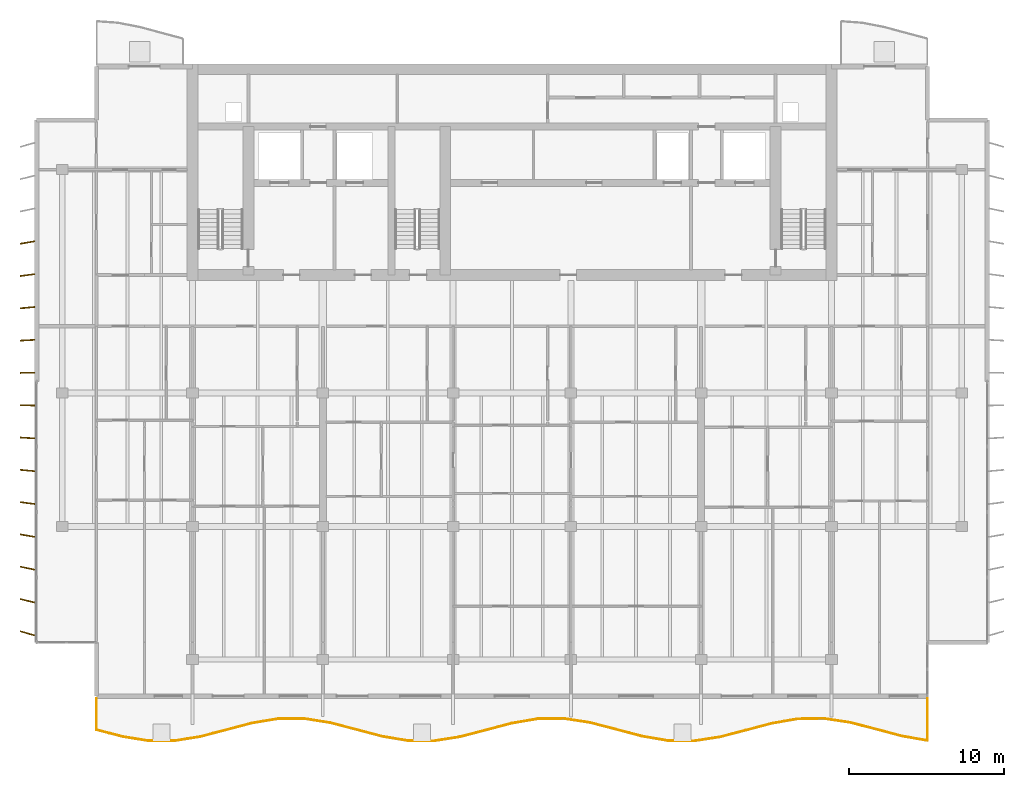
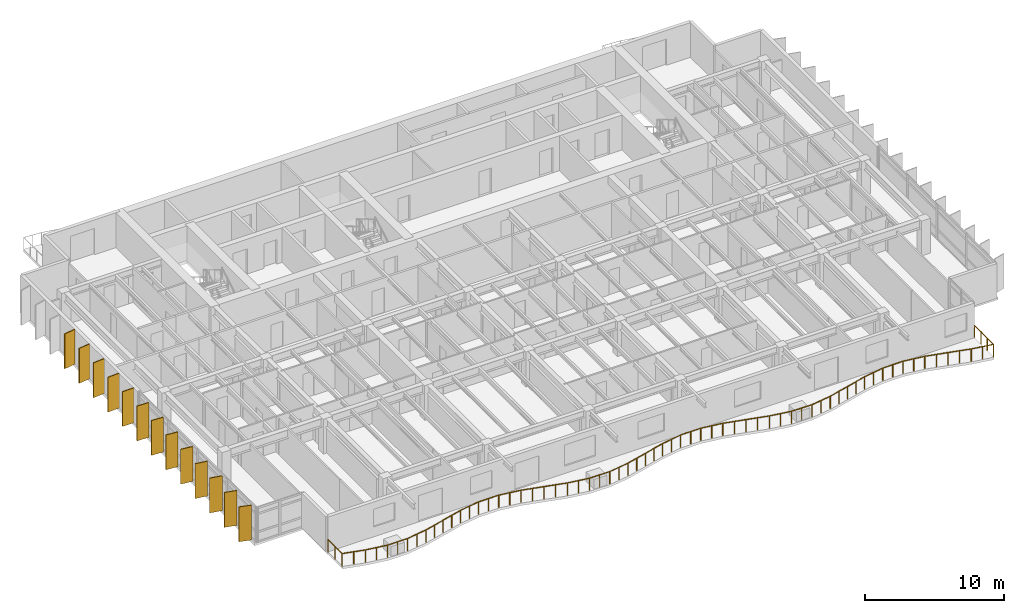
# One storey, part 13 of 17: 13 shading devices, 1 railing.
"""IFC4 building model written with IfcOpenShell, lengths in metres."""

from ifc_helpers import new_model, si_unit, direction, frame, origin, origin_2d, place, context, subcontext, project, spatial, rectangle, circle, extrude, material, material_profile, profile_set, type_object, element, save


model = new_model("IFC4")

# Units and contexts
model_context = context("Model", 3, precision=1e-05, world=origin(), true_north=direction((0.0, 1.0)))
body_context = subcontext(model_context, "Body", "Model", "MODEL_VIEW")
ifc_project = project(units=[si_unit("LENGTHUNIT", "METRE"), si_unit("AREAUNIT", "SQUARE_METRE"), si_unit("VOLUMEUNIT", "CUBIC_METRE"), si_unit("PLANEANGLEUNIT", "RADIAN"), si_unit("MASSUNIT", "GRAM", prefix="KILO")], contexts=[model_context])

# Site, building, storey
site_placement = place(None, origin())
site = spatial("IfcSite", under=ifc_project, at=site_placement, CompositionType="ELEMENT")
building_placement = place(site_placement, origin())
building = spatial("IfcBuilding", under=site, at=building_placement, Name="Caelmar Bay Residences", CompositionType="ELEMENT")
storey_placement = place(building_placement, frame((0.0, 0.0, 246.300048828125)))
storey = spatial("IfcBuildingStorey", under=building, at=storey_placement, Name="L69", CompositionType="ELEMENT", Elevation=246.300048828125)

# Railing
ifc_material_1 = material(Name="Anodised bronze handrail with laminated hurricane glass infill", Category="glass")
railing_type = type_object("IfcRailingType", Name="RL-BAL-1100", PredefinedType="BALUSTRADE", material=ifc_material_1)
railing_placement = place(storey_placement, frame((12.10009765625, 9.699951171875, 0.0)))
element("IfcRailing", 1, at=railing_placement, inside=storey, type_object=railing_type, Name="L69 south Balcony Balustrade", PredefinedType="BALUSTRADE", context=body_context, shape_type="SweptSolid", body=[
    extrude(circle(Radius=0.02392578125, at=origin_2d()), frame((0.0, 0.0, 1.076171875), z_axis=(0.0, -1.0, 0.0), x_axis=(1.0, 0.0, 0.0)), (0.0, 0.0, 1.0), 2.02001953125),
    extrude(circle(Radius=0.02392578125, at=origin_2d()), frame((0.0, -2.02001953125, 1.076171875), z_axis=(0.967222308525, -0.253931104614, 0.0), x_axis=(0.253931104614, 0.967222308525, 0.0)), (0.0, 0.0, 1.0), 1.7314453125),
    extrude(circle(Radius=0.02392578125, at=origin_2d()), frame((1.6748046875, -2.459716796875, 1.076171875), z_axis=(0.987005147608, -0.160688638665, 0.0), x_axis=(0.160688638665, 0.987005147608, 0.0)), (0.0, 0.0, 1.0), 1.697021484375),
    extrude(circle(Radius=0.02392578125, at=origin_2d()), frame((3.349853515625, -2.732421875, 1.076171875), z_axis=(0.999999139641, -0.001311761005, 0.0), x_axis=(0.001311761005, 0.999999139641, 0.0)), (0.0, 0.0, 1.0), 1.675048828125),
    extrude(circle(Radius=0.02392578125, at=origin_2d()), frame((5.02490234375, -2.734619140625, 1.076171875), z_axis=(0.987322720916, 0.158725690303, 0.0), x_axis=(-0.158725690303, 0.987322720916, 0.0)), (0.0, 0.0, 1.0), 1.696533203125),
    extrude(circle(Radius=0.02392578125, at=origin_2d()), frame((6.699951171875, -2.46533203125, 1.076171875), z_axis=(0.967404305386, 0.253236865249, 0.0), x_axis=(-0.253236865249, 0.967404305386, 0.0)), (0.0, 0.0, 1.0), 1.7314453125),
    extrude(circle(Radius=0.02392578125, at=origin_2d()), frame((8.375, -2.02685546875, 1.076171875), z_axis=(0.967048968014, 0.2545904426, 0.0), x_axis=(-0.2545904426, 0.967048968014, 0.0)), (0.0, 0.0, 1.0), 1.73193359375),
    extrude(circle(Radius=0.02392578125, at=origin_2d()), frame((10.0498046875, -1.5859375, 1.076171875), z_axis=(0.986683880932, 0.162649682165, 0.0), x_axis=(-0.162649682165, 0.986683880932, 0.0)), (0.0, 0.0, 1.0), 1.69775390625),
    extrude(circle(Radius=0.02392578125, at=origin_2d()), frame((11.724853515625, -1.309814453125, 1.076171875), z_axis=(0.99999225685, 0.00393525593, 0.0), x_axis=(-0.00393525593, 0.99999225685, 0.0)), (0.0, 0.0, 1.0), 1.675048828125),
    extrude(circle(Radius=0.02392578125, at=origin_2d()), frame((13.39990234375, -1.30322265625, 1.076171875), z_axis=(0.987658866913, -0.156620441219, 0.0), x_axis=(0.156620441219, 0.987658866913, 0.0)), (0.0, 0.0, 1.0), 1.696044921875),
    extrude(circle(Radius=0.02392578125, at=origin_2d()), frame((15.074951171875, -1.56884765625, 1.076171875), z_axis=(0.967611281442, -0.252444861359, 0.0), x_axis=(0.252444861359, 0.967611281442, 0.0)), (0.0, 0.0, 1.0), 1.731201171875),
    extrude(circle(Radius=0.02392578125, at=origin_2d()), frame((16.75, -2.005859375, 1.076171875), z_axis=(0.966840448599, -0.255381179717, 0.0), x_axis=(0.255381179717, 0.966840448599, 0.0)), (0.0, 0.0, 1.0), 1.732177734375),
    extrude(circle(Radius=0.02392578125, at=origin_2d()), frame((18.4248046875, -2.4482421875, 1.076171875), z_axis=(0.986358932104, -0.164608800067, 0.0), x_axis=(0.164608800067, 0.986358932104, 0.0)), (0.0, 0.0, 1.0), 1.6982421875),
    extrude(circle(Radius=0.02392578125, at=origin_2d()), frame((20.099853515625, -2.727783203125, 1.076171875), z_axis=(0.999978491695, -0.0065586696, 0.0), x_axis=(0.0065586696, 0.999978491695, 0.0)), (0.0, 0.0, 1.0), 1.675048828125),
    extrude(circle(Radius=0.02392578125, at=origin_2d()), frame((21.77490234375, -2.73876953125, 1.076171875), z_axis=(0.987968754479, 0.154653613513, 0.0), x_axis=(-0.154653613513, 0.987968754479, 0.0)), (0.0, 0.0, 1.0), 1.695556640625),
    extrude(circle(Radius=0.02392578125, at=origin_2d()), frame((23.449951171875, -2.4765625, 1.076171875), z_axis=(0.967817697122, 0.251652349755, 0.0), x_axis=(-0.251652349755, 0.967817697122, 0.0)), (0.0, 0.0, 1.0), 1.730712890625),
    extrude(circle(Radius=0.02392578125, at=origin_2d()), frame((25.125, -2.041015625, 1.076171875), z_axis=(0.966666257564, 0.256039736151, 0.0), x_axis=(-0.256039736151, 0.966666257564, 0.0)), (0.0, 0.0, 1.0), 1.732666015625),
    extrude(circle(Radius=0.02392578125, at=origin_2d()), frame((26.7998046875, -1.597412109375, 1.076171875), z_axis=(0.986030312444, 0.166565971742, 0.0), x_axis=(-0.166565971742, 0.986030312444, 0.0)), (0.0, 0.0, 1.0), 1.69873046875),
    extrude(circle(Radius=0.02392578125, at=origin_2d()), frame((28.474853515625, -1.314453125, 1.076171875), z_axis=(0.999959172579, 0.009036214648, 0.0), x_axis=(-0.009036214648, 0.999959172579, 0.0)), (0.0, 0.0, 1.0), 1.675048828125),
    extrude(circle(Radius=0.02392578125, at=origin_2d()), frame((30.14990234375, -1.29931640625, 1.076171875), z_axis=(0.988296640626, -0.152544256292, 0.0), x_axis=(0.152544256292, 0.988296640626, 0.0)), (0.0, 0.0, 1.0), 1.69482421875),
    extrude(circle(Radius=0.02392578125, at=origin_2d()), frame((31.824951171875, -1.557861328125, 1.076171875), z_axis=(0.968023551237, -0.250859331599, 0.0), x_axis=(0.250859331599, 0.968023551237, 0.0)), (0.0, 0.0, 1.0), 1.73046875),
    extrude(circle(Radius=0.02392578125, at=origin_2d()), frame((33.5, -1.991943359375, 1.076171875), z_axis=(0.966491681036, -0.256697936275, 0.0), x_axis=(0.256697936275, 0.966491681036, 0.0)), (0.0, 0.0, 1.0), 1.73291015625),
    extrude(circle(Radius=0.02392578125, at=origin_2d()), frame((35.1748046875, -2.436767578125, 1.076171875), z_axis=(0.985698033382, -0.168521176673, 0.0), x_axis=(0.168521176673, 0.985698033382, 0.0)), (0.0, 0.0, 1.0), 1.699462890625),
    extrude(circle(Radius=0.02392578125, at=origin_2d()), frame((36.849853515625, -2.72314453125, 1.076171875), z_axis=(0.999933716388, -0.011513593295, 0.0), x_axis=(0.011513593295, 0.999933716388, 0.0)), (0.0, 0.0, 1.0), 1.675048828125),
    extrude(circle(Radius=0.02392578125, at=origin_2d()), frame((38.52490234375, -2.742431640625, 1.076171875), z_axis=(0.988620234963, 0.150432812316, 0.0), x_axis=(-0.150432812316, 0.988620234963, 0.0)), (0.0, 0.0, 1.0), 1.6943359375),
    extrude(circle(Radius=0.02392578125, at=origin_2d()), frame((40.199951171875, -2.487548828125, 1.076171875), z_axis=(0.968228842599, 0.250065808058, 0.0), x_axis=(-0.250065808058, 0.968228842599, 0.0)), (0.0, 0.0, 1.0), 1.72998046875),
    extrude(circle(Radius=0.02392578125, at=origin_2d()), frame((41.875, -2.054931640625, 1.076171875), z_axis=(0.966351742726, 0.25722423939, 0.0), x_axis=(-0.25722423939, 0.966351742726, 0.0)), (0.0, 0.0, 1.0), 1.733154296875),
    extrude(circle(Radius=0.02392578125, at=origin_2d()), frame((43.5498046875, -1.609130859375, 1.076171875), z_axis=(0.985362106454, 0.170474394456, 0.0), x_axis=(-0.170474394456, 0.985362106454, 0.0)), (0.0, 0.0, 1.0), 1.699951171875),
    extrude(circle(Radius=0.02392578125, at=origin_2d()), frame((45.224853515625, -1.3193359375, 1.076171875), z_axis=(0.999900075143, 0.01413646805, 0.0), x_axis=(-0.01413646805, 0.999900075143, 0.0)), (0.0, 0.0, 1.0), 1.67529296875),
    extrude(circle(Radius=0.02392578125, at=origin_2d()), frame((46.89990234375, -1.295654296875, 1.076171875), z_axis=(0.988939524411, -0.148319307771, 0.0), x_axis=(0.148319307771, 0.988939524411, 0.0)), (0.0, 0.0, 1.0), 1.69384765625),
    extrude(circle(Radius=0.02392578125, at=origin_2d()), frame((48.574951171875, -1.546875, 1.076171875), z_axis=(0.968467636348, -0.249139393405, 0.0), x_axis=(0.249139393405, 0.968467636348, 0.0)), (0.0, 0.0, 1.0), 1.7294921875),
    extrude(circle(Radius=0.02392578125, at=origin_2d()), frame((50.25, -1.977783203125, 1.076171875), z_axis=(0.966176474063, -0.257881796503, 0.0), x_axis=(0.257881796503, 0.966176474063, 0.0)), (0.0, 0.0, 1.0), 1.7333984375),
    extrude(circle(Radius=0.02392578125, at=origin_2d()), frame((51.9248046875, -2.4248046875, 1.076171875), z_axis=(0.984998149958, -0.172564899614, 0.0), x_axis=(0.172564899614, 0.984998149958, 0.0)), (0.0, 0.0, 1.0), 1.700439453125),
    extrude(circle(Radius=0.02392578125, at=origin_2d()), frame((53.599853515625, -2.71826171875, 1.076171875), z_axis=(0.0, 1.0, 0.0), x_axis=(-1.0, 0.0, 0.0)), (0.0, 0.0, 1.0), 2.71826171875),
    extrude(circle(Radius=0.02099609375, at=origin_2d()), origin(), (0.0, 0.0, 1.0), 1.052001953125),
    extrude(circle(Radius=0.02099609375, at=origin_2d()), frame((0.0, -1.010009765625, 0.0)), (0.0, 0.0, 1.0), 1.052001953125),
    extrude(circle(Radius=0.02099609375, at=origin_2d()), frame((0.0, -2.02001953125, 0.0)), (0.0, 0.0, 1.0), 1.052001953125),
    extrude(circle(Radius=0.02099609375, at=origin_2d()), frame((0.83740234375, -2.23974609375, 0.0)), (0.0, 0.0, 1.0), 1.052001953125),
    extrude(circle(Radius=0.02099609375, at=origin_2d()), frame((1.6748046875, -2.459716796875, 0.0)), (0.0, 0.0, 1.0), 1.052001953125),
    extrude(circle(Radius=0.02099609375, at=origin_2d()), frame((2.51220703125, -2.59619140625, 0.0)), (0.0, 0.0, 1.0), 1.052001953125),
    extrude(circle(Radius=0.02099609375, at=origin_2d()), frame((3.349853515625, -2.732421875, 0.0)), (0.0, 0.0, 1.0), 1.052001953125),
    extrude(circle(Radius=0.02099609375, at=origin_2d()), frame((4.1875, -2.7333984375, 0.0)), (0.0, 0.0, 1.0), 1.052001953125),
    extrude(circle(Radius=0.02099609375, at=origin_2d()), frame((5.02490234375, -2.734619140625, 0.0)), (0.0, 0.0, 1.0), 1.052001953125),
    extrude(circle(Radius=0.02099609375, at=origin_2d()), frame((5.8623046875, -2.60009765625, 0.0)), (0.0, 0.0, 1.0), 1.052001953125),
    extrude(circle(Radius=0.02099609375, at=origin_2d()), frame((6.699951171875, -2.46533203125, 0.0)), (0.0, 0.0, 1.0), 1.052001953125),
    extrude(circle(Radius=0.02099609375, at=origin_2d()), frame((7.53759765625, -2.24609375, 0.0)), (0.0, 0.0, 1.0), 1.052001953125),
    extrude(circle(Radius=0.02099609375, at=origin_2d()), frame((8.375, -2.02685546875, 0.0)), (0.0, 0.0, 1.0), 1.052001953125),
    extrude(circle(Radius=0.02099609375, at=origin_2d()), frame((9.21240234375, -1.806396484375, 0.0)), (0.0, 0.0, 1.0), 1.052001953125),
    extrude(circle(Radius=0.02099609375, at=origin_2d()), frame((10.0498046875, -1.5859375, 0.0)), (0.0, 0.0, 1.0), 1.052001953125),
    extrude(circle(Radius=0.02099609375, at=origin_2d()), frame((10.88720703125, -1.44775390625, 0.0)), (0.0, 0.0, 1.0), 1.052001953125),
    extrude(circle(Radius=0.02099609375, at=origin_2d()), frame((11.724853515625, -1.309814453125, 0.0)), (0.0, 0.0, 1.0), 1.052001953125),
    extrude(circle(Radius=0.02099609375, at=origin_2d()), frame((12.5625, -1.306640625, 0.0)), (0.0, 0.0, 1.0), 1.052001953125),
    extrude(circle(Radius=0.02099609375, at=origin_2d()), frame((13.39990234375, -1.30322265625, 0.0)), (0.0, 0.0, 1.0), 1.052001953125),
    extrude(circle(Radius=0.02099609375, at=origin_2d()), frame((14.2373046875, -1.43603515625, 0.0)), (0.0, 0.0, 1.0), 1.052001953125),
    extrude(circle(Radius=0.02099609375, at=origin_2d()), frame((15.074951171875, -1.56884765625, 0.0)), (0.0, 0.0, 1.0), 1.052001953125),
    extrude(circle(Radius=0.02099609375, at=origin_2d()), frame((15.91259765625, -1.787353515625, 0.0)), (0.0, 0.0, 1.0), 1.052001953125),
    extrude(circle(Radius=0.02099609375, at=origin_2d()), frame((16.75, -2.005859375, 0.0)), (0.0, 0.0, 1.0), 1.052001953125),
    extrude(circle(Radius=0.02099609375, at=origin_2d()), frame((17.58740234375, -2.22705078125, 0.0)), (0.0, 0.0, 1.0), 1.052001953125),
    extrude(circle(Radius=0.02099609375, at=origin_2d()), frame((18.4248046875, -2.4482421875, 0.0)), (0.0, 0.0, 1.0), 1.052001953125),
    extrude(circle(Radius=0.02099609375, at=origin_2d()), frame((19.26220703125, -2.587890625, 0.0)), (0.0, 0.0, 1.0), 1.052001953125),
    extrude(circle(Radius=0.02099609375, at=origin_2d()), frame((20.099853515625, -2.727783203125, 0.0)), (0.0, 0.0, 1.0), 1.052001953125),
    extrude(circle(Radius=0.02099609375, at=origin_2d()), frame((20.9375, -2.7333984375, 0.0)), (0.0, 0.0, 1.0), 1.052001953125),
    extrude(circle(Radius=0.02099609375, at=origin_2d()), frame((21.77490234375, -2.73876953125, 0.0)), (0.0, 0.0, 1.0), 1.052001953125),
    extrude(circle(Radius=0.02099609375, at=origin_2d()), frame((22.6123046875, -2.607666015625, 0.0)), (0.0, 0.0, 1.0), 1.052001953125),
    extrude(circle(Radius=0.02099609375, at=origin_2d()), frame((23.449951171875, -2.4765625, 0.0)), (0.0, 0.0, 1.0), 1.052001953125),
    extrude(circle(Radius=0.02099609375, at=origin_2d()), frame((24.28759765625, -2.2587890625, 0.0)), (0.0, 0.0, 1.0), 1.052001953125),
    extrude(circle(Radius=0.02099609375, at=origin_2d()), frame((25.125, -2.041015625, 0.0)), (0.0, 0.0, 1.0), 1.052001953125),
    extrude(circle(Radius=0.02099609375, at=origin_2d()), frame((25.96240234375, -1.8193359375, 0.0)), (0.0, 0.0, 1.0), 1.052001953125),
    extrude(circle(Radius=0.02099609375, at=origin_2d()), frame((26.7998046875, -1.597412109375, 0.0)), (0.0, 0.0, 1.0), 1.052001953125),
    extrude(circle(Radius=0.02099609375, at=origin_2d()), frame((27.63720703125, -1.4560546875, 0.0)), (0.0, 0.0, 1.0), 1.052001953125),
    extrude(circle(Radius=0.02099609375, at=origin_2d()), frame((28.474853515625, -1.314453125, 0.0)), (0.0, 0.0, 1.0), 1.052001953125),
    extrude(circle(Radius=0.02099609375, at=origin_2d()), frame((29.3125, -1.306884765625, 0.0)), (0.0, 0.0, 1.0), 1.052001953125),
    extrude(circle(Radius=0.02099609375, at=origin_2d()), frame((30.14990234375, -1.29931640625, 0.0)), (0.0, 0.0, 1.0), 1.052001953125),
    extrude(circle(Radius=0.02099609375, at=origin_2d()), frame((30.9873046875, -1.4287109375, 0.0)), (0.0, 0.0, 1.0), 1.052001953125),
    extrude(circle(Radius=0.02099609375, at=origin_2d()), frame((31.824951171875, -1.557861328125, 0.0)), (0.0, 0.0, 1.0), 1.052001953125),
    extrude(circle(Radius=0.02099609375, at=origin_2d()), frame((32.66259765625, -1.77490234375, 0.0)), (0.0, 0.0, 1.0), 1.052001953125),
    extrude(circle(Radius=0.02099609375, at=origin_2d()), frame((33.5, -1.991943359375, 0.0)), (0.0, 0.0, 1.0), 1.052001953125),
    extrude(circle(Radius=0.02099609375, at=origin_2d()), frame((34.33740234375, -2.21435546875, 0.0)), (0.0, 0.0, 1.0), 1.052001953125),
    extrude(circle(Radius=0.02099609375, at=origin_2d()), frame((35.1748046875, -2.436767578125, 0.0)), (0.0, 0.0, 1.0), 1.052001953125),
    extrude(circle(Radius=0.02099609375, at=origin_2d()), frame((36.01220703125, -2.580078125, 0.0)), (0.0, 0.0, 1.0), 1.052001953125),
    extrude(circle(Radius=0.02099609375, at=origin_2d()), frame((36.849853515625, -2.72314453125, 0.0)), (0.0, 0.0, 1.0), 1.052001953125),
    extrude(circle(Radius=0.02099609375, at=origin_2d()), frame((37.6875, -2.73291015625, 0.0)), (0.0, 0.0, 1.0), 1.052001953125),
    extrude(circle(Radius=0.02099609375, at=origin_2d()), frame((38.52490234375, -2.742431640625, 0.0)), (0.0, 0.0, 1.0), 1.052001953125),
    extrude(circle(Radius=0.02099609375, at=origin_2d()), frame((39.3623046875, -2.614990234375, 0.0)), (0.0, 0.0, 1.0), 1.052001953125),
    extrude(circle(Radius=0.02099609375, at=origin_2d()), frame((40.199951171875, -2.487548828125, 0.0)), (0.0, 0.0, 1.0), 1.052001953125),
    extrude(circle(Radius=0.02099609375, at=origin_2d()), frame((41.03759765625, -2.271240234375, 0.0)), (0.0, 0.0, 1.0), 1.052001953125),
    extrude(circle(Radius=0.02099609375, at=origin_2d()), frame((41.875, -2.054931640625, 0.0)), (0.0, 0.0, 1.0), 1.052001953125),
    extrude(circle(Radius=0.02099609375, at=origin_2d()), frame((42.71240234375, -1.83203125, 0.0)), (0.0, 0.0, 1.0), 1.052001953125),
    extrude(circle(Radius=0.02099609375, at=origin_2d()), frame((43.5498046875, -1.609130859375, 0.0)), (0.0, 0.0, 1.0), 1.052001953125),
    extrude(circle(Radius=0.02099609375, at=origin_2d()), frame((44.38720703125, -1.46435546875, 0.0)), (0.0, 0.0, 1.0), 1.052001953125),
    extrude(circle(Radius=0.02099609375, at=origin_2d()), frame((45.224853515625, -1.3193359375, 0.0)), (0.0, 0.0, 1.0), 1.052001953125),
    extrude(circle(Radius=0.02099609375, at=origin_2d()), frame((46.0625, -1.3076171875, 0.0)), (0.0, 0.0, 1.0), 1.052001953125),
    extrude(circle(Radius=0.02099609375, at=origin_2d()), frame((46.89990234375, -1.295654296875, 0.0)), (0.0, 0.0, 1.0), 1.052001953125),
    extrude(circle(Radius=0.02099609375, at=origin_2d()), frame((47.7373046875, -1.42138671875, 0.0)), (0.0, 0.0, 1.0), 1.052001953125),
    extrude(circle(Radius=0.02099609375, at=origin_2d()), frame((48.574951171875, -1.546875, 0.0)), (0.0, 0.0, 1.0), 1.052001953125),
    extrude(circle(Radius=0.02099609375, at=origin_2d()), frame((49.41259765625, -1.76220703125, 0.0)), (0.0, 0.0, 1.0), 1.052001953125),
    extrude(circle(Radius=0.02099609375, at=origin_2d()), frame((50.25, -1.977783203125, 0.0)), (0.0, 0.0, 1.0), 1.052001953125),
    extrude(circle(Radius=0.02099609375, at=origin_2d()), frame((51.08740234375, -2.201171875, 0.0)), (0.0, 0.0, 1.0), 1.052001953125),
    extrude(circle(Radius=0.02099609375, at=origin_2d()), frame((51.9248046875, -2.4248046875, 0.0)), (0.0, 0.0, 1.0), 1.052001953125),
    extrude(circle(Radius=0.02099609375, at=origin_2d()), frame((52.76220703125, -2.571533203125, 0.0)), (0.0, 0.0, 1.0), 1.052001953125),
    extrude(circle(Radius=0.02099609375, at=origin_2d()), frame((53.599853515625, -2.71826171875, 0.0)), (0.0, 0.0, 1.0), 1.052001953125),
    extrude(circle(Radius=0.02099609375, at=origin_2d()), frame((53.599853515625, -1.812255859375, 0.0)), (0.0, 0.0, 1.0), 1.052001953125),
    extrude(circle(Radius=0.02099609375, at=origin_2d()), frame((53.599853515625, -0.906005859375, 0.0)), (0.0, 0.0, 1.0), 1.052001953125),
    extrude(circle(Radius=0.02099609375, at=origin_2d()), frame((53.599853515625, 0.0, 0.0)), (0.0, 0.0, 1.0), 1.052001953125),
])

# Shading devices
ifc_material_2 = material(Name="Anodised architectural bronze aluminium 6063-T6", Category="aluminium")
ifc_material_profile = material_profile(ifc_material_2, rectangle(XDim=0.074951171875, YDim=0.949951171875, at=origin_2d()), Name="BRONZE-FIN-75X950")
ifc_profile_set = profile_set([ifc_material_profile], Name="Anodised architectural bronze aluminium 6063-T6")
shading_device_type = type_object("IfcShadingDeviceType", Name="SHD-FIN-950", PredefinedType="USERDEFINED", material=ifc_profile_set)
for number, where, z_axis, x_axis, name in (
    (2, (7.64990234375, 13.89990234375, 0.0), (0.0, 0.0, 1.0), (0.275637355817, 0.961261695938, 0.0), "L69 West Bronze Solar Fin 1"),
    (3, (7.64990234375, 16.0, 0.0), (0.0, 0.0, 1.0), (0.239719743609, 0.970842131618, 0.0), "L69 West Bronze Solar Fin 2"),
    (4, (7.64990234375, 18.10009765625, 0.0), (0.0, 0.0, 1.0), (0.2032999874, 0.979116497217, 0.0), "L69 West Bronze Solar Fin 3"),
    (5, (7.64990234375, 20.199951171875, 0.0), (0.0, 0.0, 1.0), (0.166768746716, 0.985996037071, 0.0), "L69 West Bronze Solar Fin 4"),
    (6, (7.64990234375, 22.300048828125, 0.0), (0.0, 0.0, 1.0), (0.130007055036, 0.99151306882, 0.0), "L69 West Bronze Solar Fin 5"),
    (7, (7.64990234375, 24.39990234375, 0.0), (0.0, 0.0, 1.0), (0.092891934994, 0.995676196569, 0.0), "L69 West Bronze Solar Fin 6"),
    (8, (7.64990234375, 26.5, 0.0), (0.0, 0.0, 1.0), (0.055821504993, 0.998440764182, 0.0), "L69 West Bronze Solar Fin 7"),
    (9, (7.64990234375, 28.60009765625, 0.0), (0.0, 0.0, 1.0), (0.018673937509, 0.999825626826, 0.0), "L69 West Bronze Solar Fin 8"),
    (10, (7.64990234375, 30.699951171875, 0.0), (0.0, 0.0, 1.0), (-0.018673937509, 0.999825626826, 0.0), "L69 West Bronze Solar Fin 9"),
    (11, (7.64990234375, 32.800048828125, 0.0), (0.0, 0.0, 1.0), (-0.055821504993, 0.998440764182, 0.0), "L69 West Bronze Solar Fin 10"),
    (12, (7.64990234375, 34.89990234375, 0.0), (0.0, 0.0, 1.0), (-0.092891934994, 0.995676196569, 0.0), "L69 West Bronze Solar Fin 11"),
    (13, (7.64990234375, 37.0, 0.0), (0.0, 0.0, 1.0), (-0.130007055036, 0.99151306882, 0.0), "L69 West Bronze Solar Fin 12"),
    (14, (7.64990234375, 39.10009765625, 0.0), (0.0, 0.0, 1.0), (-0.166768746716, 0.985996037071, 0.0), "L69 West Bronze Solar Fin 13"),
):
    element("IfcShadingDevice", number, at=place(storey_placement, frame(where, z_axis=z_axis, x_axis=x_axis)), inside=storey, type_object=shading_device_type, Name=name, ObjectType="FIN", PredefinedType="USERDEFINED", context=body_context, shape_type="SweptSolid", body=[
        extrude(rectangle(XDim=0.074951171875, YDim=0.949951171875, at=origin_2d()), origin(), (0.0, 0.0, 1.0), 3.050048828125),
    ])

save(model, "model.ifc")
